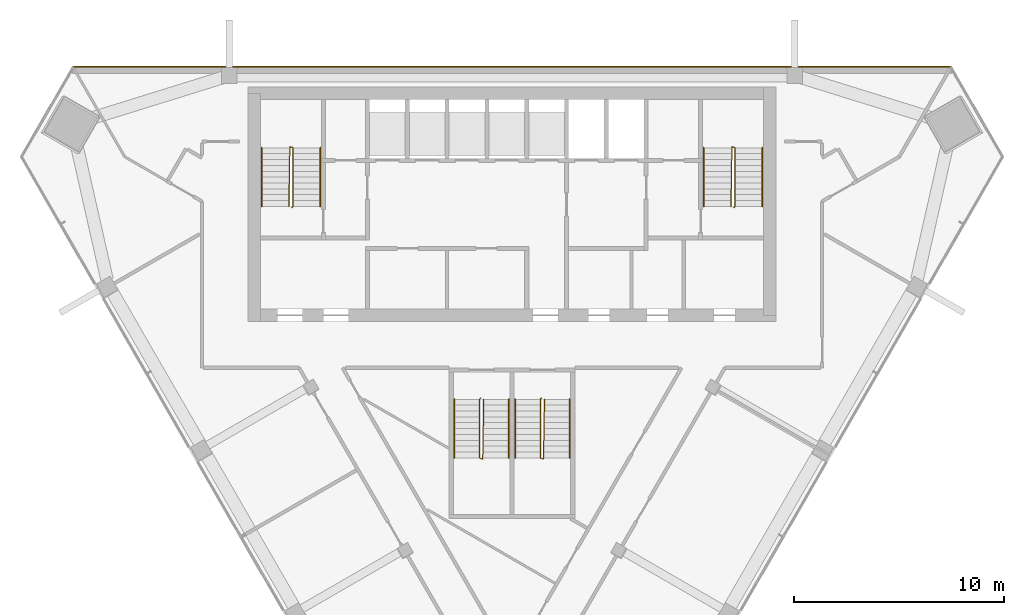
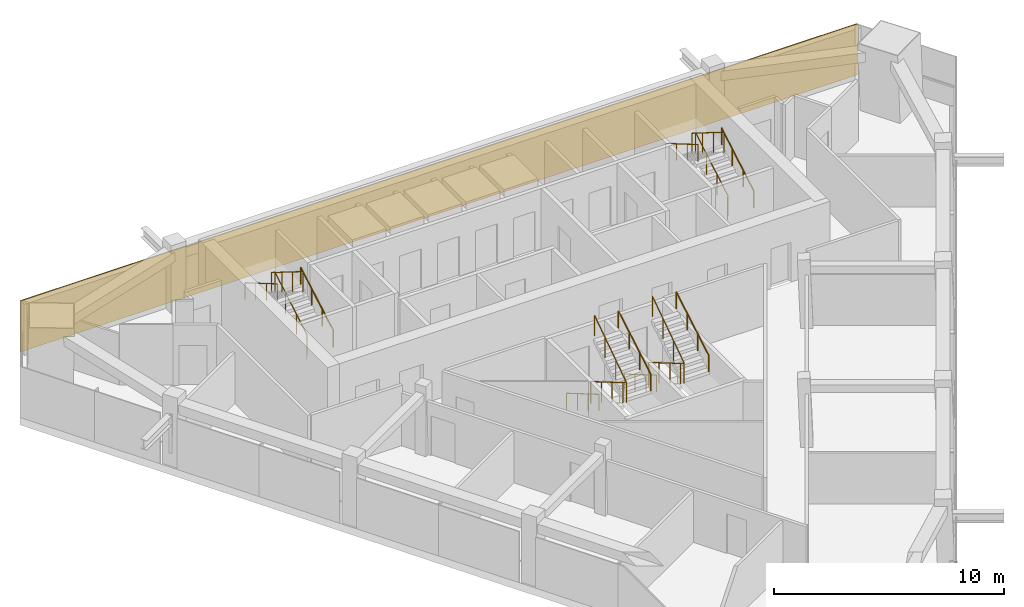
# One storey, part 11 of 12: 12 railings, 1 covering.
"""IFC4 building model written with IfcOpenShell, lengths in metres."""

from ifc_helpers import new_model, si_unit, direction, frame, frame_2d, origin, origin_2d, place, context, subcontext, project, spatial, rectangle, circle, extrude, material, layer, layer_set, type_object, element, save


model = new_model("IFC4")

# Units and contexts
model_context = context("Model", 3, precision=1e-05, world=origin(), true_north=direction((0.0, 1.0)))
body_context = subcontext(model_context, "Body", "Model", "MODEL_VIEW")
ifc_project = project(units=[si_unit("LENGTHUNIT", "METRE"), si_unit("AREAUNIT", "SQUARE_METRE"), si_unit("VOLUMEUNIT", "CUBIC_METRE"), si_unit("PLANEANGLEUNIT", "RADIAN"), si_unit("MASSUNIT", "GRAM", prefix="KILO")], contexts=[model_context])

# Site, building, storey
site_placement = place(None, origin())
site = spatial("IfcSite", under=ifc_project, at=site_placement, CompositionType="ELEMENT")
building_placement = place(site_placement, origin())
building = spatial("IfcBuilding", under=site, at=building_placement, Name="Altiplano Prism Tower", CompositionType="ELEMENT")
storey_placement = place(building_placement, frame((0.0, 0.0, 260.800048828125)))
storey = spatial("IfcBuildingStorey", under=building, at=storey_placement, Name="L67", CompositionType="ELEMENT", Elevation=260.800048828125)

# Railings
ifc_material_1 = material(Name="Steel S355", Category="steel")
railing_type_1 = type_object("IfcRailingType", Name="Stair guard 1100", PredefinedType="GUARDRAIL", material=ifc_material_1)
railing_1_placement = place(storey_placement, frame((74.5, 98.25, 0.0)))
element("IfcRailing", 1, at=railing_1_placement, inside=storey, type_object=railing_type_1, Name="L67 ST1 stair guard 1", PredefinedType="GUARDRAIL", context=body_context, shape_type="SweptSolid", body=[
    extrude(circle(Radius=0.02392578125, at=origin_2d()), frame((0.0, 0.0, 1.076171875), z_axis=(0.280808744504, 0.280808744504, 0.917765164963), x_axis=(-0.707106781187, 0.707106781187, 0.0)), (0.0, 0.0, 1.0), 0.17822265625),
    extrude(circle(Radius=0.02392578125, at=origin_2d()), frame((0.050048828125, 0.050048828125, 1.23974609375), z_axis=(0.0, 0.863360870873, 0.504586966384), x_axis=(-1.0, 0.0, 0.0)), (0.0, 0.0, 1.0), 3.2431640625),
    extrude(circle(Radius=0.02392578125, at=origin_2d()), frame((0.050048828125, 2.85009765625, 2.8759765625), z_axis=(-0.949145278916, 0.314838433982, 0.0), x_axis=(-0.314838433982, -0.949145278916, 0.0)), (0.0, 0.0, 1.0), 0.158203125),
    extrude(circle(Radius=0.02392578125, at=origin_2d()), frame((-0.10009765625, 2.89990234375, 2.8759765625), z_axis=(-0.014774583964, -0.845410385345, 0.533912906773), x_axis=(0.999847325713, -0.01747355902, 0.0)), (0.0, 0.0, 1.0), 3.370849609375),
    extrude(circle(Radius=0.02099609375, at=origin_2d()), origin(), (0.0, 0.0, 1.0), 1.052001953125),
    extrude(circle(Radius=0.02099609375, at=origin_2d()), frame((0.050048828125, 0.050048828125, 0.16357421875)), (0.0, 0.0, 1.0), 1.052001953125),
    extrude(circle(Radius=0.02099609375, at=origin_2d()), frame((0.050048828125, 0.9833984375, 0.708984375)), (0.0, 0.0, 1.0), 1.052001953125),
    extrude(circle(Radius=0.02099609375, at=origin_2d()), frame((0.050048828125, 1.916748046875, 1.254638671875)), (0.0, 0.0, 1.0), 1.052001953125),
    extrude(circle(Radius=0.02099609375, at=origin_2d()), frame((0.050048828125, 2.85009765625, 1.800048828125)), (0.0, 0.0, 1.0), 1.052001953125),
    extrude(circle(Radius=0.02099609375, at=origin_2d()), frame((-0.10009765625, 2.89990234375, 1.800048828125)), (0.0, 0.0, 1.0), 1.052001953125),
    extrude(circle(Radius=0.02099609375, at=origin_2d()), frame((-0.11669921875, 1.949951171875, 2.39990234375)), (0.0, 0.0, 1.0), 1.052001953125),
    extrude(circle(Radius=0.02099609375, at=origin_2d()), frame((-0.13330078125, 1.0, 3.0)), (0.0, 0.0, 1.0), 1.052001953125),
    extrude(circle(Radius=0.02099609375, at=origin_2d()), frame((-0.14990234375, 0.050048828125, 3.599853515625)), (0.0, 0.0, 1.0), 1.052001953125),
])
railing_2_placement = place(storey_placement, frame((95.60009765625, 98.25, 0.0)))
element("IfcRailing", 2, at=railing_2_placement, inside=storey, type_object=railing_type_1, Name="L67 ST2 stair guard 1", PredefinedType="GUARDRAIL", context=body_context, shape_type="SweptSolid", body=[
    extrude(circle(Radius=0.02392578125, at=origin_2d()), frame((0.0, 0.0, 1.076171875), z_axis=(0.279546231943, 0.280916556609, 0.91811752648), x_axis=(-0.708833529934, 0.705375805398, 0.0)), (0.0, 0.0, 1.0), 0.17822265625),
    extrude(circle(Radius=0.02392578125, at=origin_2d()), frame((0.0498046875, 0.050048828125, 1.23974609375), z_axis=(0.0, 0.863360870873, 0.504586966384), x_axis=(-1.0, 0.0, 0.0)), (0.0, 0.0, 1.0), 3.2431640625),
    extrude(circle(Radius=0.02392578125, at=origin_2d()), frame((0.0498046875, 2.85009765625, 2.8759765625), z_axis=(-0.948991962702, 0.315300261223, 0.0), x_axis=(-0.315300261223, -0.948991962702, 0.0)), (0.0, 0.0, 1.0), 0.157958984375),
    extrude(circle(Radius=0.02392578125, at=origin_2d()), frame((-0.10009765625, 2.89990234375, 2.8759765625), z_axis=(-0.014846992469, -0.845409478506, 0.533912334065), x_axis=(0.999845825584, -0.017559187376, 0.0)), (0.0, 0.0, 1.0), 3.37109375),
    extrude(circle(Radius=0.02099609375, at=origin_2d()), origin(), (0.0, 0.0, 1.0), 1.052001953125),
    extrude(circle(Radius=0.02099609375, at=origin_2d()), frame((0.0498046875, 0.050048828125, 0.16357421875)), (0.0, 0.0, 1.0), 1.052001953125),
    extrude(circle(Radius=0.02099609375, at=origin_2d()), frame((0.0498046875, 0.9833984375, 0.708984375)), (0.0, 0.0, 1.0), 1.052001953125),
    extrude(circle(Radius=0.02099609375, at=origin_2d()), frame((0.0498046875, 1.916748046875, 1.254638671875)), (0.0, 0.0, 1.0), 1.052001953125),
    extrude(circle(Radius=0.02099609375, at=origin_2d()), frame((0.0498046875, 2.85009765625, 1.800048828125)), (0.0, 0.0, 1.0), 1.052001953125),
    extrude(circle(Radius=0.02099609375, at=origin_2d()), frame((-0.10009765625, 2.89990234375, 1.800048828125)), (0.0, 0.0, 1.0), 1.052001953125),
    extrude(circle(Radius=0.02099609375, at=origin_2d()), frame((-0.11669921875, 1.949951171875, 2.39990234375)), (0.0, 0.0, 1.0), 1.052001953125),
    extrude(circle(Radius=0.02099609375, at=origin_2d()), frame((-0.133544921875, 1.0, 3.0)), (0.0, 0.0, 1.0), 1.052001953125),
    extrude(circle(Radius=0.02099609375, at=origin_2d()), frame((-0.150146484375, 0.050048828125, 3.599853515625)), (0.0, 0.0, 1.0), 1.052001953125),
])
railing_3_placement = place(storey_placement, frame((83.5, 89.14990234375, 0.0)))
element("IfcRailing", 3, at=railing_3_placement, inside=storey, type_object=railing_type_1, Name="L67 ST3A stair guard 1", PredefinedType="GUARDRAIL", context=body_context, shape_type="SweptSolid", body=[
    extrude(circle(Radius=0.02392578125, at=origin_2d()), frame((0.0, 0.0, 1.076171875), z_axis=(-0.280916556609, -0.279546231943, 0.91811752648), x_axis=(0.705375805398, -0.708833529934, 0.0)), (0.0, 0.0, 1.0), 0.17822265625),
    extrude(circle(Radius=0.02392578125, at=origin_2d()), frame((-0.050048828125, -0.0498046875, 1.23974609375), z_axis=(0.0, -0.863360870873, 0.504586966384), x_axis=(1.0, 0.0, 0.0)), (0.0, 0.0, 1.0), 3.2431640625),
    extrude(circle(Radius=0.02392578125, at=origin_2d()), frame((-0.050048828125, -2.849853515625, 2.8759765625), z_axis=(0.948683298051, -0.316227766017, 0.0), x_axis=(0.316227766017, 0.948683298051, 0.0)), (0.0, 0.0, 1.0), 0.158203125),
    extrude(circle(Radius=0.02392578125, at=origin_2d()), frame((0.10009765625, -2.89990234375, 2.8759765625), z_axis=(0.014773679385, 0.845431044782, 0.53388021776), x_axis=(-0.999847351862, 0.017472062685, 0.0)), (0.0, 0.0, 1.0), 3.37109375),
    extrude(circle(Radius=0.02099609375, at=origin_2d()), origin(), (0.0, 0.0, 1.0), 1.052001953125),
    extrude(circle(Radius=0.02099609375, at=origin_2d()), frame((-0.050048828125, -0.0498046875, 0.16357421875)), (0.0, 0.0, 1.0), 1.052001953125),
    extrude(circle(Radius=0.02099609375, at=origin_2d()), frame((-0.050048828125, -0.983154296875, 0.708984375)), (0.0, 0.0, 1.0), 1.052001953125),
    extrude(circle(Radius=0.02099609375, at=origin_2d()), frame((-0.050048828125, -1.91650390625, 1.254638671875)), (0.0, 0.0, 1.0), 1.052001953125),
    extrude(circle(Radius=0.02099609375, at=origin_2d()), frame((-0.050048828125, -2.849853515625, 1.800048828125)), (0.0, 0.0, 1.0), 1.052001953125),
    extrude(circle(Radius=0.02099609375, at=origin_2d()), frame((0.10009765625, -2.89990234375, 1.800048828125)), (0.0, 0.0, 1.0), 1.052001953125),
    extrude(circle(Radius=0.02099609375, at=origin_2d()), frame((0.11669921875, -1.949951171875, 2.39990234375)), (0.0, 0.0, 1.0), 1.052001953125),
    extrude(circle(Radius=0.02099609375, at=origin_2d()), frame((0.13330078125, -0.999755859375, 3.0)), (0.0, 0.0, 1.0), 1.052001953125),
    extrude(circle(Radius=0.02099609375, at=origin_2d()), frame((0.14990234375, -0.0498046875, 3.599853515625)), (0.0, 0.0, 1.0), 1.052001953125),
])
railing_4_placement = place(storey_placement, frame((86.39990234375, 89.14990234375, 0.0)))
element("IfcRailing", 4, at=railing_4_placement, inside=storey, type_object=railing_type_1, Name="L67 ST3B stair guard 1", PredefinedType="GUARDRAIL", context=body_context, shape_type="SweptSolid", body=[
    extrude(circle(Radius=0.02392578125, at=origin_2d()), frame((0.0, 0.0, 1.076171875), z_axis=(-0.279653641804, -0.279653641804, 0.918470294159), x_axis=(0.707106781187, -0.707106781187, 0.0)), (0.0, 0.0, 1.0), 0.177978515625),
    extrude(circle(Radius=0.02392578125, at=origin_2d()), frame((-0.0498046875, -0.0498046875, 1.23974609375), z_axis=(0.0, -0.863360870873, 0.504586966384), x_axis=(1.0, 0.0, 0.0)), (0.0, 0.0, 1.0), 3.2431640625),
    extrude(circle(Radius=0.02392578125, at=origin_2d()), frame((-0.0498046875, -2.849853515625, 2.8759765625), z_axis=(0.948528701346, -0.316691178788, 0.0), x_axis=(0.316691178788, 0.948528701346, 0.0)), (0.0, 0.0, 1.0), 0.157958984375),
    extrude(circle(Radius=0.02392578125, at=origin_2d()), frame((0.10009765625, -2.89990234375, 2.8759765625), z_axis=(0.014846083459, 0.845430138032, 0.533879645158), x_axis=(-0.999845851991, 0.017557683712, 0.0)), (0.0, 0.0, 1.0), 3.37109375),
    extrude(circle(Radius=0.02099609375, at=origin_2d()), origin(), (0.0, 0.0, 1.0), 1.052001953125),
    extrude(circle(Radius=0.02099609375, at=origin_2d()), frame((-0.0498046875, -0.0498046875, 0.16357421875)), (0.0, 0.0, 1.0), 1.052001953125),
    extrude(circle(Radius=0.02099609375, at=origin_2d()), frame((-0.0498046875, -0.983154296875, 0.708984375)), (0.0, 0.0, 1.0), 1.052001953125),
    extrude(circle(Radius=0.02099609375, at=origin_2d()), frame((-0.0498046875, -1.91650390625, 1.254638671875)), (0.0, 0.0, 1.0), 1.052001953125),
    extrude(circle(Radius=0.02099609375, at=origin_2d()), frame((-0.0498046875, -2.849853515625, 1.800048828125)), (0.0, 0.0, 1.0), 1.052001953125),
    extrude(circle(Radius=0.02099609375, at=origin_2d()), frame((0.10009765625, -2.89990234375, 1.800048828125)), (0.0, 0.0, 1.0), 1.052001953125),
    extrude(circle(Radius=0.02099609375, at=origin_2d()), frame((0.11669921875, -1.949951171875, 2.39990234375)), (0.0, 0.0, 1.0), 1.052001953125),
    extrude(circle(Radius=0.02099609375, at=origin_2d()), frame((0.133544921875, -0.999755859375, 3.0)), (0.0, 0.0, 1.0), 1.052001953125),
    extrude(circle(Radius=0.02099609375, at=origin_2d()), frame((0.150146484375, -0.0498046875, 3.599853515625)), (0.0, 0.0, 1.0), 1.052001953125),
])
railing_type_2 = type_object("IfcRailingType", Name="Stair handrail 900", PredefinedType="HANDRAIL", material=ifc_material_1)
railing_5_placement = place(storey_placement, frame((75.85009765625, 98.300048828125, 0.16357421875)))
element("IfcRailing", 5, at=railing_5_placement, inside=storey, type_object=railing_type_2, Name="L67 ST1 stair handrail 1", PredefinedType="HANDRAIL", context=body_context, shape_type="SweptSolid", body=[
    extrude(circle(Radius=0.02392578125, at=origin_2d()), frame((0.0, 0.0, 0.8759765625), z_axis=(0.0, 0.863360870873, 0.504586966384), x_axis=(-1.0, 0.0, 0.0)), (0.0, 0.0, 1.0), 3.2431640625),
    extrude(circle(Radius=0.02099609375, at=origin_2d()), origin(), (0.0, 0.0, 1.0), 0.851806640625),
    extrude(circle(Radius=0.02099609375, at=origin_2d()), frame((0.0, 0.933349609375, 0.54541015625)), (0.0, 0.0, 1.0), 0.851806640625),
    extrude(circle(Radius=0.02099609375, at=origin_2d()), frame((0.0, 1.86669921875, 1.091064453125)), (0.0, 0.0, 1.0), 0.851806640625),
    extrude(circle(Radius=0.02099609375, at=origin_2d()), frame((0.0, 2.800048828125, 1.636474609375)), (0.0, 0.0, 1.0), 0.851806640625),
])
railing_6_placement = place(storey_placement, frame((73.050048828125, 101.10009765625, 1.963623046875)))
element("IfcRailing", 6, at=railing_6_placement, inside=storey, type_object=railing_type_2, Name="L67 ST1 stair handrail 2", PredefinedType="HANDRAIL", context=body_context, shape_type="SweptSolid", body=[
    extrude(circle(Radius=0.02392578125, at=origin_2d()), frame((0.0, 0.0, 0.8759765625), z_axis=(0.0, -0.863393664356, 0.504530851732), x_axis=(1.0, 0.0, 0.0)), (0.0, 0.0, 1.0), 3.2431640625),
    extrude(circle(Radius=0.02099609375, at=origin_2d()), origin(), (0.0, 0.0, 1.0), 0.851806640625),
    extrude(circle(Radius=0.02099609375, at=origin_2d()), frame((0.0, -0.933349609375, 0.54541015625)), (0.0, 0.0, 1.0), 0.851806640625),
    extrude(circle(Radius=0.02099609375, at=origin_2d()), frame((0.0, -1.86669921875, 1.0908203125)), (0.0, 0.0, 1.0), 0.851806640625),
    extrude(circle(Radius=0.02099609375, at=origin_2d()), frame((0.0, -2.800048828125, 1.63623046875)), (0.0, 0.0, 1.0), 0.851806640625),
])
railing_7_placement = place(storey_placement, frame((96.949951171875, 98.300048828125, 0.16357421875)))
element("IfcRailing", 7, at=railing_7_placement, inside=storey, type_object=railing_type_2, Name="L67 ST2 stair handrail 1", PredefinedType="HANDRAIL", context=body_context, shape_type="SweptSolid", body=[
    extrude(circle(Radius=0.02392578125, at=origin_2d()), frame((0.0, 0.0, 0.8759765625), z_axis=(0.0, 0.863360870873, 0.504586966384), x_axis=(-1.0, 0.0, 0.0)), (0.0, 0.0, 1.0), 3.2431640625),
    extrude(circle(Radius=0.02099609375, at=origin_2d()), origin(), (0.0, 0.0, 1.0), 0.851806640625),
    extrude(circle(Radius=0.02099609375, at=origin_2d()), frame((0.0, 0.933349609375, 0.54541015625)), (0.0, 0.0, 1.0), 0.851806640625),
    extrude(circle(Radius=0.02099609375, at=origin_2d()), frame((0.0, 1.86669921875, 1.091064453125)), (0.0, 0.0, 1.0), 0.851806640625),
    extrude(circle(Radius=0.02099609375, at=origin_2d()), frame((0.0, 2.800048828125, 1.636474609375)), (0.0, 0.0, 1.0), 0.851806640625),
])
railing_8_placement = place(storey_placement, frame((94.14990234375, 101.10009765625, 1.963623046875)))
element("IfcRailing", 8, at=railing_8_placement, inside=storey, type_object=railing_type_2, Name="L67 ST2 stair handrail 2", PredefinedType="HANDRAIL", context=body_context, shape_type="SweptSolid", body=[
    extrude(circle(Radius=0.02392578125, at=origin_2d()), frame((0.0, 0.0, 0.8759765625), z_axis=(0.0, -0.863393664356, 0.504530851732), x_axis=(1.0, 0.0, 0.0)), (0.0, 0.0, 1.0), 3.2431640625),
    extrude(circle(Radius=0.02099609375, at=origin_2d()), origin(), (0.0, 0.0, 1.0), 0.851806640625),
    extrude(circle(Radius=0.02099609375, at=origin_2d()), frame((0.0, -0.933349609375, 0.54541015625)), (0.0, 0.0, 1.0), 0.851806640625),
    extrude(circle(Radius=0.02099609375, at=origin_2d()), frame((0.0, -1.86669921875, 1.0908203125)), (0.0, 0.0, 1.0), 0.851806640625),
    extrude(circle(Radius=0.02099609375, at=origin_2d()), frame((0.0, -2.800048828125, 1.63623046875)), (0.0, 0.0, 1.0), 0.851806640625),
])
railing_9_placement = place(storey_placement, frame((82.25, 89.10009765625, 0.16357421875)))
element("IfcRailing", 9, at=railing_9_placement, inside=storey, type_object=railing_type_2, Name="L67 ST3A stair handrail 1", PredefinedType="HANDRAIL", context=body_context, shape_type="SweptSolid", body=[
    extrude(circle(Radius=0.02392578125, at=origin_2d()), frame((0.0, 0.0, 0.8759765625), z_axis=(0.0, -0.863360870873, 0.504586966384), x_axis=(1.0, 0.0, 0.0)), (0.0, 0.0, 1.0), 3.2431640625),
    extrude(circle(Radius=0.02099609375, at=origin_2d()), origin(), (0.0, 0.0, 1.0), 0.851806640625),
    extrude(circle(Radius=0.02099609375, at=origin_2d()), frame((0.0, -0.933349609375, 0.54541015625)), (0.0, 0.0, 1.0), 0.851806640625),
    extrude(circle(Radius=0.02099609375, at=origin_2d()), frame((0.0, -1.86669921875, 1.091064453125)), (0.0, 0.0, 1.0), 0.851806640625),
    extrude(circle(Radius=0.02099609375, at=origin_2d()), frame((0.0, -2.800048828125, 1.636474609375)), (0.0, 0.0, 1.0), 0.851806640625),
])
railing_10_placement = place(storey_placement, frame((84.85009765625, 86.300048828125, 1.963623046875)))
element("IfcRailing", 10, at=railing_10_placement, inside=storey, type_object=railing_type_2, Name="L67 ST3A stair handrail 2", PredefinedType="HANDRAIL", context=body_context, shape_type="SweptSolid", body=[
    extrude(circle(Radius=0.02392578125, at=origin_2d()), frame((0.0, 0.0, 0.8759765625), z_axis=(0.0, 0.863393664356, 0.504530851732), x_axis=(-1.0, 0.0, 0.0)), (0.0, 0.0, 1.0), 3.2431640625),
    extrude(circle(Radius=0.02099609375, at=origin_2d()), origin(), (0.0, 0.0, 1.0), 0.851806640625),
    extrude(circle(Radius=0.02099609375, at=origin_2d()), frame((0.0, 0.933349609375, 0.54541015625)), (0.0, 0.0, 1.0), 0.851806640625),
    extrude(circle(Radius=0.02099609375, at=origin_2d()), frame((0.0, 1.86669921875, 1.0908203125)), (0.0, 0.0, 1.0), 0.851806640625),
    extrude(circle(Radius=0.02099609375, at=origin_2d()), frame((0.0, 2.800048828125, 1.63623046875)), (0.0, 0.0, 1.0), 0.851806640625),
])
railing_11_placement = place(storey_placement, frame((85.14990234375, 89.10009765625, 0.16357421875)))
element("IfcRailing", 11, at=railing_11_placement, inside=storey, type_object=railing_type_2, Name="L67 ST3B stair handrail 1", PredefinedType="HANDRAIL", context=body_context, shape_type="SweptSolid", body=[
    extrude(circle(Radius=0.02392578125, at=origin_2d()), frame((0.0, 0.0, 0.8759765625), z_axis=(0.0, -0.863360870873, 0.504586966384), x_axis=(1.0, 0.0, 0.0)), (0.0, 0.0, 1.0), 3.2431640625),
    extrude(circle(Radius=0.02099609375, at=origin_2d()), origin(), (0.0, 0.0, 1.0), 0.851806640625),
    extrude(circle(Radius=0.02099609375, at=origin_2d()), frame((0.0, -0.933349609375, 0.54541015625)), (0.0, 0.0, 1.0), 0.851806640625),
    extrude(circle(Radius=0.02099609375, at=origin_2d()), frame((0.0, -1.86669921875, 1.091064453125)), (0.0, 0.0, 1.0), 0.851806640625),
    extrude(circle(Radius=0.02099609375, at=origin_2d()), frame((0.0, -2.800048828125, 1.636474609375)), (0.0, 0.0, 1.0), 0.851806640625),
])
railing_12_placement = place(storey_placement, frame((87.75, 86.300048828125, 1.963623046875)))
element("IfcRailing", 12, at=railing_12_placement, inside=storey, type_object=railing_type_2, Name="L67 ST3B stair handrail 2", PredefinedType="HANDRAIL", context=body_context, shape_type="SweptSolid", body=[
    extrude(circle(Radius=0.02392578125, at=origin_2d()), frame((0.0, 0.0, 0.8759765625), z_axis=(0.0, 0.863393664356, 0.504530851732), x_axis=(-1.0, 0.0, 0.0)), (0.0, 0.0, 1.0), 3.2431640625),
    extrude(circle(Radius=0.02099609375, at=origin_2d()), origin(), (0.0, 0.0, 1.0), 0.851806640625),
    extrude(circle(Radius=0.02099609375, at=origin_2d()), frame((0.0, 0.933349609375, 0.54541015625)), (0.0, 0.0, 1.0), 0.851806640625),
    extrude(circle(Radius=0.02099609375, at=origin_2d()), frame((0.0, 1.86669921875, 1.0908203125)), (0.0, 0.0, 1.0), 0.851806640625),
    extrude(circle(Radius=0.02099609375, at=origin_2d()), frame((0.0, 2.800048828125, 1.63623046875)), (0.0, 0.0, 1.0), 0.851806640625),
])

# Covering
ifc_material_2 = material(Name="Warm limestone cast stone", Category="masonry")
ifc_layer = layer(ifc_material_2, 0.06005859375)
ifc_layer_set = layer_set([ifc_layer], Name="Warm limestone cast stone")
covering_type = type_object("IfcCoveringType", Name="Stone cladding 60", PredefinedType="CLADDING", material=ifc_layer_set)
covering_placement = place(storey_placement, frame((64.017822265625, 104.969970703125, 0.0), z_axis=(0.0, 0.0, 1.0), x_axis=(1.0, 0.0, 0.0)))
element("IfcCovering", 13, at=covering_placement, inside=storey, type_object=covering_type, Name="Stone cladding north face L67", PredefinedType="CLADDING", context=body_context, shape_type="SweptSolid", body=[
    extrude(rectangle(XDim=41.96435546875, YDim=0.06005859375, at=frame_2d((20.982177734375, 0.0))), origin(), (0.0, 0.0, 1.0), 2.699951171875),
])

save(model, "model.ifc")
